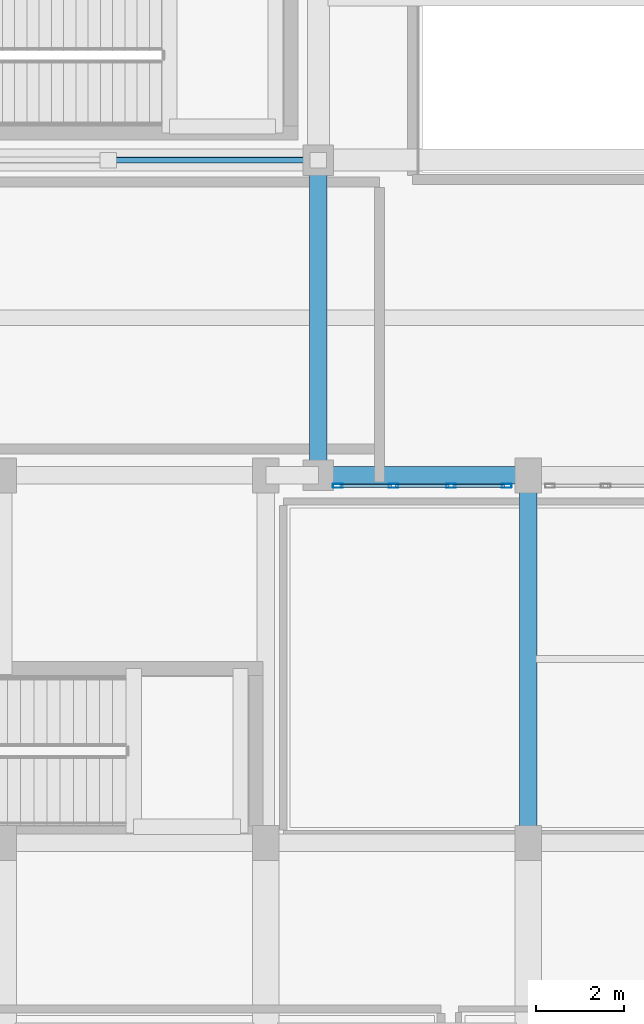
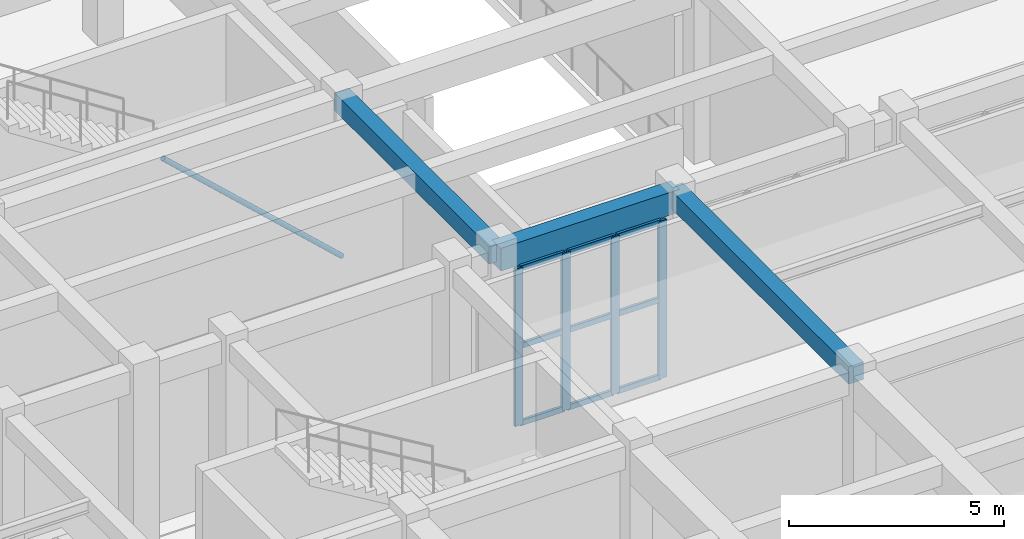
# One storey, part 54 of 98: 14 members, 3 beams, 1 element without a shape of its own.
"""IFC4 building model written with IfcOpenShell, lengths in metres."""

from ifc_helpers import new_model, si_unit, direction, frame, origin, origin_2d, place, context, subcontext, project, spatial, rectangle, hollow_rectangle, hollow_circle, extrude, material, layer, layer_set, material_profile, profile_set, type_object, element, aggregate, save


model = new_model("IFC4")

# Units and contexts
model_context = context("Model", 3, precision=1e-05, world=origin(), true_north=direction((0.0, 1.0)))
body_context = subcontext(model_context, "Body", "Model", "MODEL_VIEW")
ifc_project = project(units=[si_unit("LENGTHUNIT", "METRE"), si_unit("AREAUNIT", "SQUARE_METRE"), si_unit("VOLUMEUNIT", "CUBIC_METRE"), si_unit("PLANEANGLEUNIT", "RADIAN"), si_unit("MASSUNIT", "GRAM", prefix="KILO")], contexts=[model_context])

# Site, building, storey
site_placement = place(None, origin())
site = spatial("IfcSite", under=ifc_project, at=site_placement, CompositionType="ELEMENT")
building_placement = place(site_placement, origin())
building = spatial("IfcBuilding", under=site, at=building_placement, Name="Tarnavel Promenade Courthouse", CompositionType="ELEMENT")
storey_placement = place(building_placement, origin())
storey = spatial("IfcBuildingStorey", under=building, at=storey_placement, Name="L01", CompositionType="ELEMENT", Elevation=0.0)

# Beams
ifc_material_1 = material(Name="Concrete C40/50", Category="concrete")
ifc_material_profile_1 = material_profile(ifc_material_1, rectangle(XDim=0.39990234375, YDim=0.5, at=origin_2d()), Name="RC 400x500")
ifc_profile_set_1 = profile_set([ifc_material_profile_1], Name="Concrete C40/50")
beam_type_1 = type_object("IfcBeamType", Name="Concrete C40/50 BM-RC-400x500 (RC 400x500)", PredefinedType="BEAM", material=ifc_profile_set_1)
beam_1_placement = place(storey_placement, frame((139.199951171875, 67.199951171875, 4.885009765625), z_axis=(0.0, 1.0, 0.0), x_axis=(-1.0, 0.0, 0.0)))
element("IfcBeam", 1, at=beam_1_placement, inside=storey, type_object=beam_type_1, Name="L01 Transverse Girder 0858", PredefinedType="BEAM", context=body_context, shape_type="SweptSolid", body=[
    extrude(rectangle(XDim=0.39990234375, YDim=0.5, at=origin_2d()), origin(), (0.0, 0.0, 1.0), 7.199951171875),
])
beam_2_placement = place(storey_placement, frame((144.0, 58.800048828125, 4.885009765625), z_axis=(0.0, 1.0, 0.0), x_axis=(-1.0, 0.0, 0.0)))
element("IfcBeam", 2, at=beam_2_placement, inside=storey, type_object=beam_type_1, Name="L01 Transverse Girder 0865", PredefinedType="BEAM", context=body_context, shape_type="SweptSolid", body=[
    extrude(rectangle(XDim=0.39990234375, YDim=0.5, at=origin_2d()), origin(), (0.0, 0.0, 1.0), 8.39990234375),
])
ifc_material_profile_2 = material_profile(ifc_material_1, rectangle(XDim=0.39990234375, YDim=0.64990234375, at=origin_2d()), Name="RC 400x650")
ifc_profile_set_2 = profile_set([ifc_material_profile_2], Name="Concrete C40/50")
beam_type_2 = type_object("IfcBeamType", Name="Concrete C40/50 BM-RC-400x650 (RC 400x650)", PredefinedType="BEAM", material=ifc_profile_set_2)
beam_3_placement = place(storey_placement, frame((139.199951171875, 67.199951171875, 4.81005859375), z_axis=(1.0, 0.0, 0.0), x_axis=(0.0, 1.0, 0.0)))
element("IfcBeam", 3, at=beam_3_placement, inside=storey, type_object=beam_type_2, Name="L01 Primary Longitudinal Beam 0655", PredefinedType="BEAM", context=body_context, shape_type="SweptSolid", body=[
    extrude(rectangle(XDim=0.39990234375, YDim=0.64990234375, at=origin_2d()), origin(), (0.0, 0.0, 1.0), 4.800048828125),
])

# Member
ifc_material_2 = material(Name="Steel S355J2", Category="steel")
ifc_material_profile_3 = material_profile(ifc_material_2, hollow_circle(Radius=0.06982421875, WallThickness=0.008056640625, at=origin_2d()), Name="CHS 139.7x8")
ifc_profile_set_3 = profile_set([ifc_material_profile_3], Name="Steel S355J2")
member_type_1 = type_object("IfcMemberType", Name="Steel S355J2 MEM-BR-CHS140 (CHS 139.7x8)", PredefinedType="BRACE", material=ifc_profile_set_3)
member_1_placement = place(storey_placement, frame((139.199951171875, 74.39990234375, 0.43505859375), z_axis=(-0.733344567691, 0.0, 0.679857150465), x_axis=(0.0, -1.0, 0.0)))
element("IfcMember", 4, at=member_1_placement, inside=storey, type_object=member_type_1, Name="L01 V6 Chevron Brace B 048", PredefinedType="BRACE", context=body_context, shape_type="SweptSolid", body=[
    extrude(hollow_circle(Radius=0.06982421875, WallThickness=0.008056640625, at=origin_2d()), origin(), (0.0, 0.0, 1.0), 6.54541015625),
])

# Curtain wall, members
ifc_material_3 = material(Name="Thermally Broken Anodised Aluminium Curtain Wall System", Category="aluminium")
ifc_layer = layer(ifc_material_3, 0.199951171875)
ifc_layer_set = layer_set([ifc_layer], Name="Thermally Broken Anodised Aluminium Curtain Wall System")
curtain_wall_type = type_object("IfcCurtainWallType", Name="Thermally Broken Aluminium Triple-Glazed Curtain Wall CW-FOYER", PredefinedType="NOTDEFINED", material=ifc_layer_set)
curtain_wall_placement = place(storey_placement, origin())
curtain_wall = element("IfcCurtainWall", 5, at=curtain_wall_placement, inside=storey, type_object=curtain_wall_type, Name="L01 Ceremonial North Cloister Curtain Wall 164", PredefinedType="NOTDEFINED")
ifc_material_4 = material(Name="Thermally Broken Anodised Aluminium Frame", Category="aluminium")
ifc_material_profile_4 = material_profile(ifc_material_4, hollow_rectangle(XDim=0.090087890625, YDim=0.219970703125, WallThickness=0.0048828125, InnerFilletRadius=0.0048828125, OuterFilletRadius=0.010009765625, at=origin_2d()), Name="CWM 220x90x5")
ifc_profile_set_4 = profile_set([ifc_material_profile_4], Name="Thermally Broken Anodised Aluminium Frame")
member_type_2 = type_object("IfcMemberType", Name="Thermally Broken Anodised Aluminium CWM-175 (CWM 220x90x5)", PredefinedType="MULLION", material=ifc_profile_set_4)
member_2_placement = place(storey_placement, frame((143.5048828125, 66.9599609375, 0.0), z_axis=(0.0, 0.0, 1.0), x_axis=(0.0, -1.0, 0.0)))
member_2 = element("IfcMember", 6, at=member_2_placement, type_object=member_type_2, Name="CW-04 mullion 1", PredefinedType="MULLION", context=body_context, shape_type="SweptSolid", body=[
    extrude(hollow_rectangle(XDim=0.090087890625, YDim=0.219970703125, WallThickness=0.0048828125, InnerFilletRadius=0.0048828125, OuterFilletRadius=0.010009765625, at=origin_2d()), origin(), (0.0, 0.0, 1.0), 4.469970703125),
])
member_3_placement = place(storey_placement, frame((142.2333984375, 66.9599609375, 0.0), z_axis=(0.0, 0.0, 1.0), x_axis=(0.0, -1.0, 0.0)))
member_3 = element("IfcMember", 7, at=member_3_placement, type_object=member_type_2, Name="CW-04 mullion 2", PredefinedType="MULLION", context=body_context, shape_type="SweptSolid", body=[
    extrude(hollow_rectangle(XDim=0.090087890625, YDim=0.219970703125, WallThickness=0.0048828125, InnerFilletRadius=0.0048828125, OuterFilletRadius=0.010009765625, at=origin_2d()), origin(), (0.0, 0.0, 1.0), 4.469970703125),
])
member_4_placement = place(storey_placement, frame((140.916748046875, 66.9599609375, 0.0), z_axis=(0.0, 0.0, 1.0), x_axis=(0.0, -1.0, 0.0)))
member_4 = element("IfcMember", 8, at=member_4_placement, type_object=member_type_2, Name="CW-04 mullion 3", PredefinedType="MULLION", context=body_context, shape_type="SweptSolid", body=[
    extrude(hollow_rectangle(XDim=0.090087890625, YDim=0.219970703125, WallThickness=0.0048828125, InnerFilletRadius=0.0048828125, OuterFilletRadius=0.010009765625, at=origin_2d()), origin(), (0.0, 0.0, 1.0), 4.469970703125),
])
member_5_placement = place(storey_placement, frame((139.64501953125, 66.9599609375, 0.0), z_axis=(0.0, 0.0, 1.0), x_axis=(0.0, -1.0, 0.0)))
member_5 = element("IfcMember", 9, at=member_5_placement, type_object=member_type_2, Name="CW-04 mullion 4", PredefinedType="MULLION", context=body_context, shape_type="SweptSolid", body=[
    extrude(hollow_rectangle(XDim=0.090087890625, YDim=0.219970703125, WallThickness=0.0048828125, InnerFilletRadius=0.0048828125, OuterFilletRadius=0.010009765625, at=origin_2d()), origin(), (0.0, 0.0, 1.0), 4.469970703125),
])
ifc_material_profile_5 = material_profile(ifc_material_4, hollow_rectangle(XDim=0.080078125, YDim=0.159912109375, WallThickness=0.0048828125, InnerFilletRadius=0.0048828125, OuterFilletRadius=0.010009765625, at=origin_2d()), Name="CWT 160x80x5")
ifc_profile_set_5 = profile_set([ifc_material_profile_5], Name="Thermally Broken Anodised Aluminium Frame")
member_type_3 = type_object("IfcMemberType", Name="Thermally Broken Anodised Aluminium CWT-145 (CWT 160x80x5)", PredefinedType="USERDEFINED", material=ifc_profile_set_5)
member_6_placement = place(storey_placement, frame((143.4599609375, 66.9599609375, 0.0400390625), z_axis=(-1.0, 0.0, 0.0), x_axis=(0.0, -1.0, 0.0)))
member_6 = element("IfcMember", 10, at=member_6_placement, type_object=member_type_3, Name="CW-04 transom 1.1", ObjectType="TRANSOM", PredefinedType="USERDEFINED", context=body_context, shape_type="SweptSolid", body=[
    extrude(hollow_rectangle(XDim=0.080078125, YDim=0.159912109375, WallThickness=0.0048828125, InnerFilletRadius=0.0048828125, OuterFilletRadius=0.010009765625, at=origin_2d()), origin(), (0.0, 0.0, 1.0), 1.181640625),
])
member_7_placement = place(storey_placement, frame((143.4599609375, 66.9599609375, 2.235107421875), z_axis=(-1.0, 0.0, 0.0), x_axis=(0.0, -1.0, 0.0)))
member_7 = element("IfcMember", 11, at=member_7_placement, type_object=member_type_3, Name="CW-04 transom 1.2", ObjectType="TRANSOM", PredefinedType="USERDEFINED", context=body_context, shape_type="SweptSolid", body=[
    extrude(hollow_rectangle(XDim=0.080078125, YDim=0.159912109375, WallThickness=0.0048828125, InnerFilletRadius=0.0048828125, OuterFilletRadius=0.010009765625, at=origin_2d()), origin(), (0.0, 0.0, 1.0), 1.181640625),
])
member_8_placement = place(storey_placement, frame((143.4599609375, 66.9599609375, 4.429931640625), z_axis=(-1.0, 0.0, 0.0), x_axis=(0.0, -1.0, 0.0)))
member_8 = element("IfcMember", 12, at=member_8_placement, type_object=member_type_3, Name="CW-04 transom 1.3", ObjectType="TRANSOM", PredefinedType="USERDEFINED", context=body_context, shape_type="SweptSolid", body=[
    extrude(hollow_rectangle(XDim=0.080078125, YDim=0.159912109375, WallThickness=0.0048828125, InnerFilletRadius=0.0048828125, OuterFilletRadius=0.010009765625, at=origin_2d()), origin(), (0.0, 0.0, 1.0), 1.181640625),
])
member_9_placement = place(storey_placement, frame((142.188232421875, 66.9599609375, 0.0400390625), z_axis=(-1.0, 0.0, 0.0), x_axis=(0.0, -1.0, 0.0)))
member_9 = element("IfcMember", 13, at=member_9_placement, type_object=member_type_3, Name="CW-04 transom 2.1", ObjectType="TRANSOM", PredefinedType="USERDEFINED", context=body_context, shape_type="SweptSolid", body=[
    extrude(hollow_rectangle(XDim=0.080078125, YDim=0.159912109375, WallThickness=0.0048828125, InnerFilletRadius=0.0048828125, OuterFilletRadius=0.010009765625, at=origin_2d()), origin(), (0.0, 0.0, 1.0), 1.2265625),
])
member_10_placement = place(storey_placement, frame((142.188232421875, 66.9599609375, 2.235107421875), z_axis=(-1.0, 0.0, 0.0), x_axis=(0.0, -1.0, 0.0)))
member_10 = element("IfcMember", 14, at=member_10_placement, type_object=member_type_3, Name="CW-04 transom 2.2", ObjectType="TRANSOM", PredefinedType="USERDEFINED", context=body_context, shape_type="SweptSolid", body=[
    extrude(hollow_rectangle(XDim=0.080078125, YDim=0.159912109375, WallThickness=0.0048828125, InnerFilletRadius=0.0048828125, OuterFilletRadius=0.010009765625, at=origin_2d()), origin(), (0.0, 0.0, 1.0), 1.2265625),
])
member_11_placement = place(storey_placement, frame((142.188232421875, 66.9599609375, 4.429931640625), z_axis=(-1.0, 0.0, 0.0), x_axis=(0.0, -1.0, 0.0)))
member_11 = element("IfcMember", 15, at=member_11_placement, type_object=member_type_3, Name="CW-04 transom 2.3", ObjectType="TRANSOM", PredefinedType="USERDEFINED", context=body_context, shape_type="SweptSolid", body=[
    extrude(hollow_rectangle(XDim=0.080078125, YDim=0.159912109375, WallThickness=0.0048828125, InnerFilletRadius=0.0048828125, OuterFilletRadius=0.010009765625, at=origin_2d()), origin(), (0.0, 0.0, 1.0), 1.2265625),
])
member_12_placement = place(storey_placement, frame((140.87158203125, 66.9599609375, 0.0400390625), z_axis=(-1.0, 0.0, 0.0), x_axis=(0.0, -1.0, 0.0)))
member_12 = element("IfcMember", 16, at=member_12_placement, type_object=member_type_3, Name="CW-04 transom 3.1", ObjectType="TRANSOM", PredefinedType="USERDEFINED", context=body_context, shape_type="SweptSolid", body=[
    extrude(hollow_rectangle(XDim=0.080078125, YDim=0.159912109375, WallThickness=0.0048828125, InnerFilletRadius=0.0048828125, OuterFilletRadius=0.010009765625, at=origin_2d()), origin(), (0.0, 0.0, 1.0), 1.181640625),
])
member_13_placement = place(storey_placement, frame((140.87158203125, 66.9599609375, 2.235107421875), z_axis=(-1.0, 0.0, 0.0), x_axis=(0.0, -1.0, 0.0)))
member_13 = element("IfcMember", 17, at=member_13_placement, type_object=member_type_3, Name="CW-04 transom 3.2", ObjectType="TRANSOM", PredefinedType="USERDEFINED", context=body_context, shape_type="SweptSolid", body=[
    extrude(hollow_rectangle(XDim=0.080078125, YDim=0.159912109375, WallThickness=0.0048828125, InnerFilletRadius=0.0048828125, OuterFilletRadius=0.010009765625, at=origin_2d()), origin(), (0.0, 0.0, 1.0), 1.181640625),
])
member_14_placement = place(storey_placement, frame((140.87158203125, 66.9599609375, 4.429931640625), z_axis=(-1.0, 0.0, 0.0), x_axis=(0.0, -1.0, 0.0)))
member_14 = element("IfcMember", 18, at=member_14_placement, type_object=member_type_3, Name="CW-04 transom 3.3", ObjectType="TRANSOM", PredefinedType="USERDEFINED", context=body_context, shape_type="SweptSolid", body=[
    extrude(hollow_rectangle(XDim=0.080078125, YDim=0.159912109375, WallThickness=0.0048828125, InnerFilletRadius=0.0048828125, OuterFilletRadius=0.010009765625, at=origin_2d()), origin(), (0.0, 0.0, 1.0), 1.181640625),
])
aggregate(curtain_wall, [member_2, member_3, member_4, member_5, member_6, member_7, member_8, member_9, member_10, member_11, member_12, member_13, member_14])

save(model, "model.ifc")
